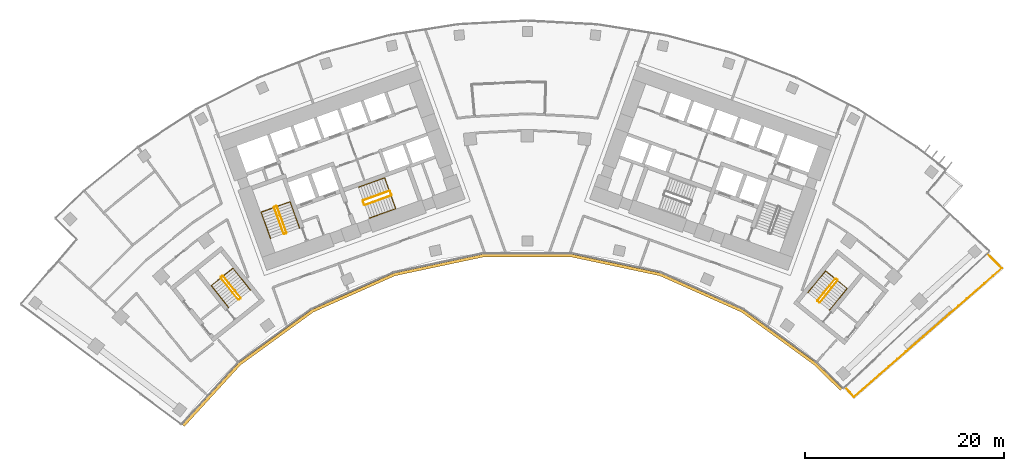
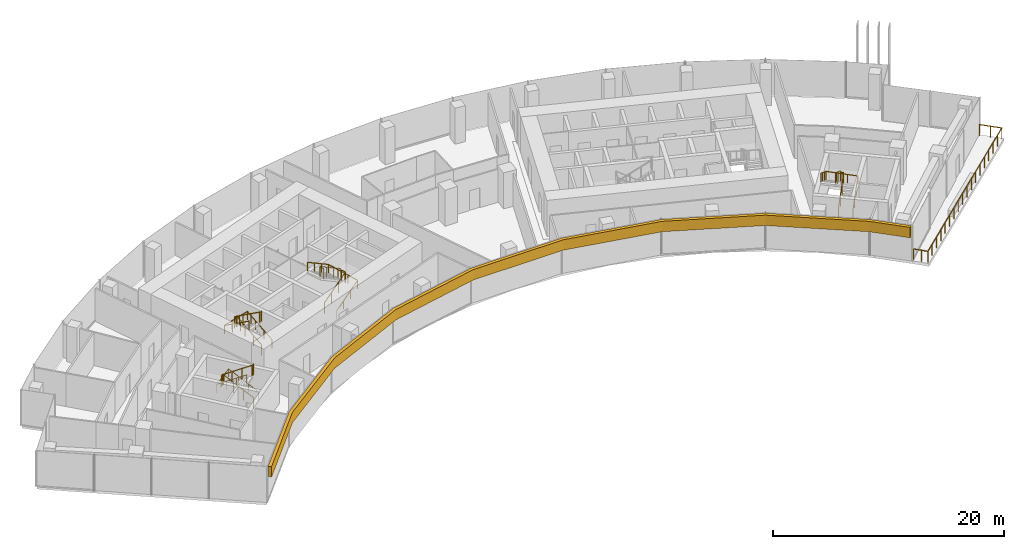
# One storey, part 19 of 20: 13 railings, 1 covering.
"""IFC4 building model written with IfcOpenShell, lengths in metres."""

from ifc_helpers import new_model, si_unit, direction, frame, origin, origin_2d, place, context, subcontext, project, spatial, polyline, circle, outline, extrude, material, layer, layer_set, type_object, element, save


model = new_model("IFC4")

# Units and contexts
model_context = context("Model", 3, precision=1e-05, world=origin(), true_north=direction((0.0, 1.0)))
body_context = subcontext(model_context, "Body", "Model", "MODEL_VIEW")
ifc_project = project(units=[si_unit("LENGTHUNIT", "METRE"), si_unit("AREAUNIT", "SQUARE_METRE"), si_unit("VOLUMEUNIT", "CUBIC_METRE"), si_unit("PLANEANGLEUNIT", "RADIAN"), si_unit("MASSUNIT", "GRAM", prefix="KILO")], contexts=[model_context])

# Site, building, storey
site_placement = place(None, origin())
site = spatial("IfcSite", under=ifc_project, at=site_placement, CompositionType="ELEMENT")
building_placement = place(site_placement, origin())
building = spatial("IfcBuilding", under=site, at=building_placement, Name="Stone Belt Terrace Tower", CompositionType="ELEMENT")
storey_placement = place(building_placement, frame((0.0, 0.0, 182.0)))
storey = spatial("IfcBuildingStorey", under=building, at=storey_placement, Name="L44", CompositionType="ELEMENT", Elevation=182.0)

# Railings
ifc_material_1 = material(Name="Structural steel C345", Category="steel")
railing_type_1 = type_object("IfcRailingType", Name="Stair guard 1100", PredefinedType="GUARDRAIL", material=ifc_material_1)
railing_1_placement = place(storey_placement, frame((-24.2119140625, 45.276123046875, 0.172607421875)))
element("IfcRailing", 1, at=railing_1_placement, inside=storey, type_object=railing_type_1, Name="L44 ST1A stair guard 1", PredefinedType="GUARDRAIL", context=body_context, shape_type="SweptSolid", body=[
    extrude(circle(Radius=0.02392578125, at=origin_2d()), frame((0.0, 0.0, 1.076171875), z_axis=(-0.288228637646, 0.800791768495, 0.525030280985), x_axis=(-0.940908529223, -0.338660803216, 0.0)), (0.0, 0.0, 1.0), 3.289794921875),
    extrude(circle(Radius=0.02392578125, at=origin_2d()), frame((-0.9482421875, 2.634521484375, 2.80322265625), z_axis=(-0.905209821074, 0.424964916, 0.0), x_axis=(-0.424964916, -0.905209821074, 0.0)), (0.0, 0.0, 1.0), 0.070556640625),
    extrude(circle(Radius=0.02392578125, at=origin_2d()), frame((-1.01220703125, 2.66455078125, 2.80322265625), z_axis=(-0.941105063269, -0.338114270461, 0.0), x_axis=(0.338114270461, -0.941105063269, 0.0)), (0.0, 0.0, 1.0), 0.199951171875),
    extrude(circle(Radius=0.02099609375, at=origin_2d()), origin(), (0.0, 0.0, 1.0), 1.052001953125),
    extrude(circle(Radius=0.02099609375, at=origin_2d()), frame((-0.316162109375, 0.878173828125, 0.57568359375)), (0.0, 0.0, 1.0), 1.052001953125),
    extrude(circle(Radius=0.02099609375, at=origin_2d()), frame((-0.632080078125, 1.75634765625, 1.151611328125)), (0.0, 0.0, 1.0), 1.052001953125),
    extrude(circle(Radius=0.02099609375, at=origin_2d()), frame((-0.9482421875, 2.634521484375, 1.727294921875)), (0.0, 0.0, 1.0), 1.052001953125),
    extrude(circle(Radius=0.02099609375, at=origin_2d()), frame((-1.01220703125, 2.66455078125, 1.727294921875)), (0.0, 0.0, 1.0), 1.052001953125),
    extrude(circle(Radius=0.02099609375, at=origin_2d()), frame((-1.200439453125, 2.596923828125, 1.727294921875)), (0.0, 0.0, 1.0), 1.052001953125),
])
railing_2_placement = place(storey_placement, frame((-25.4423828125, 47.80908203125, 2.07275390625)))
element("IfcRailing", 2, at=railing_2_placement, inside=storey, type_object=railing_type_1, Name="L44 ST1A stair guard 2", PredefinedType="GUARDRAIL", context=body_context, shape_type="SweptSolid", body=[
    extrude(circle(Radius=0.02392578125, at=origin_2d()), frame((0.0, 0.0, 1.076171875), z_axis=(0.288228637646, -0.800791768495, 0.525030280985), x_axis=(0.940908529223, 0.338660803216, 0.0)), (0.0, 0.0, 1.0), 3.289794921875),
    extrude(circle(Radius=0.02392578125, at=origin_2d()), frame((0.9482421875, -2.634521484375, 2.80322265625), z_axis=(0.903878284585, -0.427789722475, 0.0), x_axis=(0.427789722475, 0.903878284585, 0.0)), (0.0, 0.0, 1.0), 0.07080078125),
    extrude(circle(Radius=0.02392578125, at=origin_2d()), frame((1.01220703125, -2.664794921875, 2.80322265625), z_axis=(0.940575576748, 0.339584429008, 0.0), x_axis=(-0.339584429008, 0.940575576748, 0.0)), (0.0, 0.0, 1.0), 0.199951171875),
    extrude(circle(Radius=0.02099609375, at=origin_2d()), origin(), (0.0, 0.0, 1.0), 1.052001953125),
    extrude(circle(Radius=0.02099609375, at=origin_2d()), frame((0.316162109375, -0.878173828125, 0.57568359375)), (0.0, 0.0, 1.0), 1.052001953125),
    extrude(circle(Radius=0.02099609375, at=origin_2d()), frame((0.632080078125, -1.75634765625, 1.151611328125)), (0.0, 0.0, 1.0), 1.052001953125),
    extrude(circle(Radius=0.02099609375, at=origin_2d()), frame((0.9482421875, -2.634521484375, 1.727294921875)), (0.0, 0.0, 1.0), 1.052001953125),
    extrude(circle(Radius=0.02099609375, at=origin_2d()), frame((1.01220703125, -2.664794921875, 1.727294921875)), (0.0, 0.0, 1.0), 1.052001953125),
    extrude(circle(Radius=0.02099609375, at=origin_2d()), frame((1.2001953125, -2.596923828125, 1.727294921875)), (0.0, 0.0, 1.0), 1.052001953125),
])
railing_3_placement = place(storey_placement, frame((-16.33837890625, 48.056640625, 0.172607421875)))
element("IfcRailing", 3, at=railing_3_placement, inside=storey, type_object=railing_type_1, Name="L44 ST2A stair guard 1", PredefinedType="GUARDRAIL", context=body_context, shape_type="SweptSolid", body=[
    extrude(circle(Radius=0.02392578125, at=origin_2d()), frame((0.0, 0.0, 1.076171875), z_axis=(0.800808895155, 0.288160591223, 0.52504150989), x_axis=(-0.338583606334, 0.940936311087, 0.0)), (0.0, 0.0, 1.0), 3.289794921875),
    extrude(circle(Radius=0.02392578125, at=origin_2d()), frame((2.634521484375, 0.947998046875, 2.80322265625), z_axis=(0.427789722475, 0.903878284585, 0.0), x_axis=(-0.903878284585, 0.427789722475, 0.0)), (0.0, 0.0, 1.0), 0.07080078125),
    extrude(circle(Radius=0.02392578125, at=origin_2d()), frame((2.664794921875, 1.011962890625, 2.80322265625), z_axis=(-0.338654645739, 0.940910745459, 0.0), x_axis=(-0.940910745459, -0.338654645739, 0.0)), (0.0, 0.0, 1.0), 0.400146484375),
    extrude(circle(Radius=0.02099609375, at=origin_2d()), origin(), (0.0, 0.0, 1.0), 1.052001953125),
    extrude(circle(Radius=0.02099609375, at=origin_2d()), frame((0.878173828125, 0.31591796875, 0.57568359375)), (0.0, 0.0, 1.0), 1.052001953125),
    extrude(circle(Radius=0.02099609375, at=origin_2d()), frame((1.75634765625, 0.632080078125, 1.151611328125)), (0.0, 0.0, 1.0), 1.052001953125),
    extrude(circle(Radius=0.02099609375, at=origin_2d()), frame((2.634521484375, 0.947998046875, 1.727294921875)), (0.0, 0.0, 1.0), 1.052001953125),
    extrude(circle(Radius=0.02099609375, at=origin_2d()), frame((2.664794921875, 1.011962890625, 1.727294921875)), (0.0, 0.0, 1.0), 1.052001953125),
    extrude(circle(Radius=0.02099609375, at=origin_2d()), frame((2.529296875, 1.388427734375, 1.727294921875)), (0.0, 0.0, 1.0), 1.052001953125),
])
railing_4_placement = place(storey_placement, frame((-13.873046875, 49.47509765625, 2.07275390625)))
element("IfcRailing", 4, at=railing_4_placement, inside=storey, type_object=railing_type_1, Name="L44 ST2A stair guard 2", PredefinedType="GUARDRAIL", context=body_context, shape_type="SweptSolid", body=[
    extrude(circle(Radius=0.02392578125, at=origin_2d()), frame((0.0, 0.0, 1.076171875), z_axis=(-0.800808895155, -0.288160591223, 0.52504150989), x_axis=(0.338583606334, -0.940936311087, 0.0)), (0.0, 0.0, 1.0), 3.289794921875),
    extrude(circle(Radius=0.02392578125, at=origin_2d()), frame((-2.634521484375, -0.947998046875, 2.80322265625), z_axis=(-0.427789722475, -0.903878284585, 0.0), x_axis=(0.903878284585, -0.427789722475, 0.0)), (0.0, 0.0, 1.0), 0.07080078125),
    extrude(circle(Radius=0.02392578125, at=origin_2d()), frame((-2.664794921875, -1.011962890625, 2.80322265625), z_axis=(0.338654645739, -0.940910745459, 0.0), x_axis=(0.940910745459, 0.338654645739, 0.0)), (0.0, 0.0, 1.0), 0.400146484375),
    extrude(circle(Radius=0.02099609375, at=origin_2d()), origin(), (0.0, 0.0, 1.0), 1.052001953125),
    extrude(circle(Radius=0.02099609375, at=origin_2d()), frame((-0.878173828125, -0.31591796875, 0.57568359375)), (0.0, 0.0, 1.0), 1.052001953125),
    extrude(circle(Radius=0.02099609375, at=origin_2d()), frame((-1.75634765625, -0.632080078125, 1.151611328125)), (0.0, 0.0, 1.0), 1.052001953125),
    extrude(circle(Radius=0.02099609375, at=origin_2d()), frame((-2.634521484375, -0.947998046875, 1.727294921875)), (0.0, 0.0, 1.0), 1.052001953125),
    extrude(circle(Radius=0.02099609375, at=origin_2d()), frame((-2.664794921875, -1.011962890625, 1.727294921875)), (0.0, 0.0, 1.0), 1.052001953125),
    extrude(circle(Radius=0.02099609375, at=origin_2d()), frame((-2.529296875, -1.388427734375, 1.727294921875)), (0.0, 0.0, 1.0), 1.052001953125),
])
railing_5_placement = place(storey_placement, frame((-28.814208984375, 38.734619140625, 0.172607421875)))
element("IfcRailing", 5, at=railing_5_placement, inside=storey, type_object=railing_type_1, Name="L44 ST3A stair guard 1", PredefinedType="GUARDRAIL", context=body_context, shape_type="SweptSolid", body=[
    extrude(circle(Radius=0.02392578125, at=origin_2d()), frame((0.0, 0.0, 1.076171875), z_axis=(-0.530306321799, 0.665665785969, 0.525037395288), x_axis=(-0.782143211408, -0.623098705543, 0.0)), (0.0, 0.0, 1.0), 3.289794921875),
    extrude(circle(Radius=0.02392578125, at=origin_2d()), frame((-1.74462890625, 2.18994140625, 2.80322265625), z_axis=(-0.993883734674, 0.110431526075, 0.0), x_axis=(-0.110431526075, -0.993883734674, 0.0)), (0.0, 0.0, 1.0), 0.07080078125),
    extrude(circle(Radius=0.02392578125, at=origin_2d()), frame((-1.81494140625, 2.19775390625, 2.80322265625), z_axis=(-0.782533463299, -0.622608527742, 0.0), x_axis=(0.622608527742, -0.782533463299, 0.0)), (0.0, 0.0, 1.0), 0.199951171875),
    extrude(circle(Radius=0.02099609375, at=origin_2d()), origin(), (0.0, 0.0, 1.0), 1.052001953125),
    extrude(circle(Radius=0.02099609375, at=origin_2d()), frame((-0.58154296875, 0.72998046875, 0.57568359375)), (0.0, 0.0, 1.0), 1.052001953125),
    extrude(circle(Radius=0.02099609375, at=origin_2d()), frame((-1.1630859375, 1.4599609375, 1.151611328125)), (0.0, 0.0, 1.0), 1.052001953125),
    extrude(circle(Radius=0.02099609375, at=origin_2d()), frame((-1.74462890625, 2.18994140625, 1.727294921875)), (0.0, 0.0, 1.0), 1.052001953125),
    extrude(circle(Radius=0.02099609375, at=origin_2d()), frame((-1.81494140625, 2.19775390625, 1.727294921875)), (0.0, 0.0, 1.0), 1.052001953125),
    extrude(circle(Radius=0.02099609375, at=origin_2d()), frame((-1.971435546875, 2.0732421875, 1.727294921875)), (0.0, 0.0, 1.0), 1.052001953125),
])
railing_6_placement = place(storey_placement, frame((-30.793701171875, 40.737548828125, 2.07275390625)))
element("IfcRailing", 6, at=railing_6_placement, inside=storey, type_object=railing_type_1, Name="L44 ST3A stair guard 2", PredefinedType="GUARDRAIL", context=body_context, shape_type="SweptSolid", body=[
    extrude(circle(Radius=0.02392578125, at=origin_2d()), frame((0.0, 0.0, 1.076171875), z_axis=(0.530359659125, -0.665639588968, 0.525016732659), x_axis=(0.782100716982, 0.62315204284, 0.0)), (0.0, 0.0, 1.0), 3.2900390625),
    extrude(circle(Radius=0.02392578125, at=origin_2d()), frame((1.744873046875, -2.18994140625, 2.80322265625), z_axis=(0.993499272973, -0.113838458361, 0.0), x_axis=(0.113838458361, 0.993499272973, 0.0)), (0.0, 0.0, 1.0), 0.07080078125),
    extrude(circle(Radius=0.02392578125, at=origin_2d()), frame((1.815185546875, -2.197998046875, 2.80322265625), z_axis=(0.781464082609, 0.623950228458, 0.0), x_axis=(-0.623950228458, 0.781464082609, 0.0)), (0.0, 0.0, 1.0), 0.199951171875),
    extrude(circle(Radius=0.02099609375, at=origin_2d()), origin(), (0.0, 0.0, 1.0), 1.052001953125),
    extrude(circle(Radius=0.02099609375, at=origin_2d()), frame((0.58154296875, -0.72998046875, 0.57568359375)), (0.0, 0.0, 1.0), 1.052001953125),
    extrude(circle(Radius=0.02099609375, at=origin_2d()), frame((1.163330078125, -1.4599609375, 1.151611328125)), (0.0, 0.0, 1.0), 1.052001953125),
    extrude(circle(Radius=0.02099609375, at=origin_2d()), frame((1.744873046875, -2.18994140625, 1.727294921875)), (0.0, 0.0, 1.0), 1.052001953125),
    extrude(circle(Radius=0.02099609375, at=origin_2d()), frame((1.815185546875, -2.197998046875, 1.727294921875)), (0.0, 0.0, 1.0), 1.052001953125),
    extrude(circle(Radius=0.02099609375, at=origin_2d()), frame((1.971435546875, -2.0732421875, 1.727294921875)), (0.0, 0.0, 1.0), 1.052001953125),
])
railing_7_placement = place(storey_placement, frame((29.39794921875, 38.281982421875, 0.172607421875)))
element("IfcRailing", 7, at=railing_7_placement, inside=storey, type_object=railing_type_1, Name="L44 ST3B stair guard 1", PredefinedType="GUARDRAIL", context=body_context, shape_type="SweptSolid", body=[
    extrude(circle(Radius=0.02392578125, at=origin_2d()), frame((0.0, 0.0, 1.076171875), z_axis=(0.536393061503, 0.660769759217, 0.525038864158), x_axis=(-0.776391310223, 0.630251166924, 0.0)), (0.0, 0.0, 1.0), 3.289794921875),
    extrude(circle(Radius=0.02392578125, at=origin_2d()), frame((1.7646484375, 2.173828125, 2.80322265625), z_axis=(-0.103251414163, 0.994655289773, 0.0), x_axis=(-0.994655289773, -0.103251414163, 0.0)), (0.0, 0.0, 1.0), 0.071044921875),
    extrude(circle(Radius=0.02392578125, at=origin_2d()), frame((1.75732421875, 2.244384765625, 2.80322265625), z_axis=(-0.776561986372, 0.630040856868, 0.0), x_axis=(-0.630040856868, -0.776561986372, 0.0)), (0.0, 0.0, 1.0), 0.199951171875),
    extrude(circle(Radius=0.02099609375, at=origin_2d()), origin(), (0.0, 0.0, 1.0), 1.052001953125),
    extrude(circle(Radius=0.02099609375, at=origin_2d()), frame((0.588134765625, 0.724609375, 0.57568359375)), (0.0, 0.0, 1.0), 1.052001953125),
    extrude(circle(Radius=0.02099609375, at=origin_2d()), frame((1.176513671875, 1.44921875, 1.151611328125)), (0.0, 0.0, 1.0), 1.052001953125),
    extrude(circle(Radius=0.02099609375, at=origin_2d()), frame((1.7646484375, 2.173828125, 1.727294921875)), (0.0, 0.0, 1.0), 1.052001953125),
    extrude(circle(Radius=0.02099609375, at=origin_2d()), frame((1.75732421875, 2.244384765625, 1.727294921875)), (0.0, 0.0, 1.0), 1.052001953125),
    extrude(circle(Radius=0.02099609375, at=origin_2d()), frame((1.60205078125, 2.370361328125, 1.727294921875)), (0.0, 0.0, 1.0), 1.052001953125),
])
railing_8_placement = place(storey_placement, frame((30.9296875, 40.64501953125, 2.07275390625)))
element("IfcRailing", 8, at=railing_8_placement, inside=storey, type_object=railing_type_1, Name="L44 ST3B stair guard 2", PredefinedType="GUARDRAIL", context=body_context, shape_type="SweptSolid", body=[
    extrude(circle(Radius=0.02392578125, at=origin_2d()), frame((0.0, 0.0, 1.076171875), z_axis=(-0.536366759382, -0.660811565066, 0.525013118792), x_axis=(0.776425942316, -0.630208502084, 0.0)), (0.0, 0.0, 1.0), 3.2900390625),
    extrude(circle(Radius=0.02392578125, at=origin_2d()), frame((-1.7646484375, -2.174072265625, 2.80322265625), z_axis=(0.103606084259, -0.994618408891, 0.0), x_axis=(0.994618408891, 0.103606084259, 0.0)), (0.0, 0.0, 1.0), 0.07080078125),
    extrude(circle(Radius=0.02392578125, at=origin_2d()), frame((-1.75732421875, -2.244384765625, 2.80322265625), z_axis=(0.776561986372, -0.630040856868, 0.0), x_axis=(0.630040856868, 0.776561986372, 0.0)), (0.0, 0.0, 1.0), 0.199951171875),
    extrude(circle(Radius=0.02099609375, at=origin_2d()), origin(), (0.0, 0.0, 1.0), 1.052001953125),
    extrude(circle(Radius=0.02099609375, at=origin_2d()), frame((-0.588134765625, -0.724609375, 0.57568359375)), (0.0, 0.0, 1.0), 1.052001953125),
    extrude(circle(Radius=0.02099609375, at=origin_2d()), frame((-1.176513671875, -1.449462890625, 1.151611328125)), (0.0, 0.0, 1.0), 1.052001953125),
    extrude(circle(Radius=0.02099609375, at=origin_2d()), frame((-1.7646484375, -2.174072265625, 1.727294921875)), (0.0, 0.0, 1.0), 1.052001953125),
    extrude(circle(Radius=0.02099609375, at=origin_2d()), frame((-1.75732421875, -2.244384765625, 1.727294921875)), (0.0, 0.0, 1.0), 1.052001953125),
    extrude(circle(Radius=0.02099609375, at=origin_2d()), frame((-1.60205078125, -2.370361328125, 1.727294921875)), (0.0, 0.0, 1.0), 1.052001953125),
])
railing_type_2 = type_object("IfcRailingType", Name="Stair handrail 900", PredefinedType="HANDRAIL", material=ifc_material_1)
railing_9_placement = place(storey_placement, frame((-22.894775390625, 45.750244140625, 0.172607421875)))
element("IfcRailing", 9, at=railing_9_placement, inside=storey, type_object=railing_type_2, Name="L44 ST1A stair handrail 1", PredefinedType="HANDRAIL", context=body_context, shape_type="SweptSolid", body=[
    extrude(circle(Radius=0.02392578125, at=origin_2d()), frame((0.0, 0.0, 0.8759765625), z_axis=(-0.288160591223, 0.800808895155, 0.52504150989), x_axis=(-0.940936311087, -0.338583606334, 0.0)), (0.0, 0.0, 1.0), 3.289794921875),
    extrude(circle(Radius=0.02392578125, at=origin_2d()), frame((-0.947998046875, 2.634521484375, 2.60302734375), z_axis=(-0.939460408074, -0.338105101667, 0.055669398135), x_axis=(0.338630230244, -0.940919532779, 0.0)), (0.0, 0.0, 1.0), 3.10498046875),
    extrude(circle(Radius=0.02392578125, at=origin_2d()), frame((-3.864990234375, 1.584716796875, 2.77587890625), z_axis=(0.288228637646, -0.800791768495, 0.525030280985), x_axis=(0.940908529223, 0.338660803216, 0.0)), (0.0, 0.0, 1.0), 3.289794921875),
    extrude(circle(Radius=0.02099609375, at=origin_2d()), origin(), (0.0, 0.0, 1.0), 0.851806640625),
    extrude(circle(Radius=0.02099609375, at=origin_2d()), frame((-0.31591796875, 0.878173828125, 0.57568359375)), (0.0, 0.0, 1.0), 0.851806640625),
    extrude(circle(Radius=0.02099609375, at=origin_2d()), frame((-0.632080078125, 1.75634765625, 1.151611328125)), (0.0, 0.0, 1.0), 0.851806640625),
    extrude(circle(Radius=0.02099609375, at=origin_2d()), frame((-0.947998046875, 2.634521484375, 1.727294921875)), (0.0, 0.0, 1.0), 0.851806640625),
    extrude(circle(Radius=0.02099609375, at=origin_2d()), frame((-1.92041015625, 2.28466796875, 1.784912109375)), (0.0, 0.0, 1.0), 0.851806640625),
    extrude(circle(Radius=0.02099609375, at=origin_2d()), frame((-2.892578125, 1.9345703125, 1.842529296875)), (0.0, 0.0, 1.0), 0.851806640625),
    extrude(circle(Radius=0.02099609375, at=origin_2d()), frame((-3.864990234375, 1.584716796875, 1.900146484375)), (0.0, 0.0, 1.0), 0.851806640625),
    extrude(circle(Radius=0.02099609375, at=origin_2d()), frame((-3.548828125, 0.70654296875, 2.475830078125)), (0.0, 0.0, 1.0), 0.851806640625),
    extrude(circle(Radius=0.02099609375, at=origin_2d()), frame((-3.23291015625, -0.171630859375, 3.0517578125)), (0.0, 0.0, 1.0), 0.851806640625),
    extrude(circle(Radius=0.02099609375, at=origin_2d()), frame((-2.916748046875, -1.0498046875, 3.62744140625)), (0.0, 0.0, 1.0), 0.851806640625),
])
railing_10_placement = place(storey_placement, frame((-15.8642578125, 46.7392578125, 0.172607421875)))
element("IfcRailing", 10, at=railing_10_placement, inside=storey, type_object=railing_type_2, Name="L44 ST2A stair handrail 1", PredefinedType="HANDRAIL", context=body_context, shape_type="SweptSolid", body=[
    extrude(circle(Radius=0.02392578125, at=origin_2d()), frame((0.0, 0.0, 0.8759765625), z_axis=(0.800791768495, 0.288228637646, 0.525030280985), x_axis=(-0.338660803216, 0.940908529223, 0.0)), (0.0, 0.0, 1.0), 3.289794921875),
    extrude(circle(Radius=0.02392578125, at=origin_2d()), frame((2.634521484375, 0.9482421875, 2.60302734375), z_axis=(-0.338158948057, 0.939634149308, 0.052308615955), x_axis=(-0.940922302781, -0.338622533404, 0.0)), (0.0, 0.0, 1.0), 3.304443359375),
    extrude(circle(Radius=0.02392578125, at=origin_2d()), frame((1.51708984375, 4.05322265625, 2.77587890625), z_axis=(-0.800791768495, -0.288228637646, 0.525030280985), x_axis=(0.338660803216, -0.940908529223, 0.0)), (0.0, 0.0, 1.0), 3.289794921875),
    extrude(circle(Radius=0.02099609375, at=origin_2d()), origin(), (0.0, 0.0, 1.0), 0.851806640625),
    extrude(circle(Radius=0.02099609375, at=origin_2d()), frame((0.878173828125, 0.316162109375, 0.57568359375)), (0.0, 0.0, 1.0), 0.851806640625),
    extrude(circle(Radius=0.02099609375, at=origin_2d()), frame((1.75634765625, 0.632080078125, 1.151611328125)), (0.0, 0.0, 1.0), 0.851806640625),
    extrude(circle(Radius=0.02099609375, at=origin_2d()), frame((2.634521484375, 0.9482421875, 1.727294921875)), (0.0, 0.0, 1.0), 0.851806640625),
    extrude(circle(Radius=0.02099609375, at=origin_2d()), frame((2.261962890625, 1.983154296875, 1.784912109375)), (0.0, 0.0, 1.0), 0.851806640625),
    extrude(circle(Radius=0.02099609375, at=origin_2d()), frame((1.8896484375, 3.018310546875, 1.842529296875)), (0.0, 0.0, 1.0), 0.851806640625),
    extrude(circle(Radius=0.02099609375, at=origin_2d()), frame((1.51708984375, 4.05322265625, 1.900146484375)), (0.0, 0.0, 1.0), 0.851806640625),
    extrude(circle(Radius=0.02099609375, at=origin_2d()), frame((0.638916015625, 3.737060546875, 2.475830078125)), (0.0, 0.0, 1.0), 0.851806640625),
    extrude(circle(Radius=0.02099609375, at=origin_2d()), frame((-0.2392578125, 3.421142578125, 3.0517578125)), (0.0, 0.0, 1.0), 0.851806640625),
    extrude(circle(Radius=0.02099609375, at=origin_2d()), frame((-1.117431640625, 3.10498046875, 3.62744140625)), (0.0, 0.0, 1.0), 0.851806640625),
])
railing_11_placement = place(storey_placement, frame((-27.836669921875, 39.513427734375, 0.172607421875)))
element("IfcRailing", 11, at=railing_11_placement, inside=storey, type_object=railing_type_2, Name="L44 ST3A stair handrail 1", PredefinedType="HANDRAIL", context=body_context, shape_type="SweptSolid", body=[
    extrude(circle(Radius=0.02392578125, at=origin_2d()), frame((0.0, 0.0, 0.8759765625), z_axis=(-0.530306321799, 0.665665785969, 0.525037395288), x_axis=(-0.782143211408, -0.623098705543, 0.0)), (0.0, 0.0, 1.0), 3.289794921875),
    extrude(circle(Radius=0.02392578125, at=origin_2d()), frame((-1.74462890625, 2.18994140625, 2.60302734375), z_axis=(-0.78065703189, -0.621914732429, 0.061617076765), x_axis=(0.623098705543, -0.782143211408, 0.0)), (0.0, 0.0, 1.0), 2.80517578125),
    extrude(circle(Radius=0.02392578125, at=origin_2d()), frame((-3.9345703125, 0.4453125, 2.77587890625), z_axis=(0.530306321799, -0.665665785969, 0.525037395288), x_axis=(0.782143211408, 0.623098705543, 0.0)), (0.0, 0.0, 1.0), 3.289794921875),
    extrude(circle(Radius=0.02099609375, at=origin_2d()), origin(), (0.0, 0.0, 1.0), 0.851806640625),
    extrude(circle(Radius=0.02099609375, at=origin_2d()), frame((-0.58154296875, 0.72998046875, 0.57568359375)), (0.0, 0.0, 1.0), 0.851806640625),
    extrude(circle(Radius=0.02099609375, at=origin_2d()), frame((-1.1630859375, 1.4599609375, 1.151611328125)), (0.0, 0.0, 1.0), 0.851806640625),
    extrude(circle(Radius=0.02099609375, at=origin_2d()), frame((-1.74462890625, 2.18994140625, 1.727294921875)), (0.0, 0.0, 1.0), 0.851806640625),
    extrude(circle(Radius=0.02099609375, at=origin_2d()), frame((-2.474609375, 1.6083984375, 1.784912109375)), (0.0, 0.0, 1.0), 0.851806640625),
    extrude(circle(Radius=0.02099609375, at=origin_2d()), frame((-3.20458984375, 1.02685546875, 1.842529296875)), (0.0, 0.0, 1.0), 0.851806640625),
    extrude(circle(Radius=0.02099609375, at=origin_2d()), frame((-3.9345703125, 0.4453125, 1.900146484375)), (0.0, 0.0, 1.0), 0.851806640625),
    extrude(circle(Radius=0.02099609375, at=origin_2d()), frame((-3.35302734375, -0.28466796875, 2.475830078125)), (0.0, 0.0, 1.0), 0.851806640625),
    extrude(circle(Radius=0.02099609375, at=origin_2d()), frame((-2.771484375, -1.0146484375, 3.0517578125)), (0.0, 0.0, 1.0), 0.851806640625),
    extrude(circle(Radius=0.02099609375, at=origin_2d()), frame((-2.18994140625, -1.74462890625, 3.62744140625)), (0.0, 0.0, 1.0), 0.851806640625),
])
railing_12_placement = place(storey_placement, frame((30.36865234375, 37.494140625, 0.172607421875)))
element("IfcRailing", 12, at=railing_12_placement, inside=storey, type_object=railing_type_2, Name="L44 ST3B stair handrail 1", PredefinedType="HANDRAIL", context=body_context, shape_type="SweptSolid", body=[
    extrude(circle(Radius=0.02392578125, at=origin_2d()), frame((0.0, 0.0, 0.8759765625), z_axis=(0.536366759382, 0.660811565066, 0.525013118792), x_axis=(-0.776425942316, 0.630208502084, 0.0)), (0.0, 0.0, 1.0), 3.2900390625),
    extrude(circle(Radius=0.02392578125, at=origin_2d()), frame((1.7646484375, 2.174072265625, 2.60302734375), z_axis=(-0.774950814199, 0.629011171817, 0.061613158501), x_axis=(-0.630208502084, -0.776425942316, 0.0)), (0.0, 0.0, 1.0), 2.805419921875),
    extrude(circle(Radius=0.02392578125, at=origin_2d()), frame((-0.409423828125, 3.938720703125, 2.77587890625), z_axis=(-0.536366759382, -0.660811565066, 0.525013118792), x_axis=(0.776425942316, -0.630208502084, 0.0)), (0.0, 0.0, 1.0), 3.2900390625),
    extrude(circle(Radius=0.02099609375, at=origin_2d()), origin(), (0.0, 0.0, 1.0), 0.851806640625),
    extrude(circle(Radius=0.02099609375, at=origin_2d()), frame((0.588134765625, 0.724609375, 0.57568359375)), (0.0, 0.0, 1.0), 0.851806640625),
    extrude(circle(Radius=0.02099609375, at=origin_2d()), frame((1.176513671875, 1.449462890625, 1.151611328125)), (0.0, 0.0, 1.0), 0.851806640625),
    extrude(circle(Radius=0.02099609375, at=origin_2d()), frame((1.7646484375, 2.174072265625, 1.727294921875)), (0.0, 0.0, 1.0), 0.851806640625),
    extrude(circle(Radius=0.02099609375, at=origin_2d()), frame((1.0400390625, 2.76220703125, 1.784912109375)), (0.0, 0.0, 1.0), 0.851806640625),
    extrude(circle(Radius=0.02099609375, at=origin_2d()), frame((0.315185546875, 3.3505859375, 1.842529296875)), (0.0, 0.0, 1.0), 0.851806640625),
    extrude(circle(Radius=0.02099609375, at=origin_2d()), frame((-0.409423828125, 3.938720703125, 1.900146484375)), (0.0, 0.0, 1.0), 0.851806640625),
    extrude(circle(Radius=0.02099609375, at=origin_2d()), frame((-0.99755859375, 3.214111328125, 2.475830078125)), (0.0, 0.0, 1.0), 0.851806640625),
    extrude(circle(Radius=0.02099609375, at=origin_2d()), frame((-1.5859375, 2.4892578125, 3.0517578125)), (0.0, 0.0, 1.0), 0.851806640625),
    extrude(circle(Radius=0.02099609375, at=origin_2d()), frame((-2.174072265625, 1.7646484375, 3.62744140625)), (0.0, 0.0, 1.0), 0.851806640625),
])
ifc_material_2 = material(Name="Stainless steel AISI 304", Category="steel")
railing_type_3 = type_object("IfcRailingType", Name="Terrace guard 1200", PredefinedType="GUARDRAIL", material=ifc_material_2)
railing_13_placement = place(storey_placement, frame((31.940185546875, 29.7060546875, 0.0)))
element("IfcRailing", 13, at=railing_13_placement, inside=storey, type_object=railing_type_3, Name="GUARD L44 1.1", PredefinedType="GUARDRAIL", context=body_context, shape_type="SweptSolid", body=[
    extrude(circle(Radius=0.02490234375, at=origin_2d()), frame((0.0, 0.0, 1.1748046875), z_axis=(0.706932724141, -0.707280795398, 0.0), x_axis=(0.707280795398, 0.706932724141, 0.0)), (0.0, 0.0, 1.0), 0.701416015625),
    extrude(circle(Radius=0.02490234375, at=origin_2d()), frame((0.495849609375, -0.49609375, 1.1748046875), z_axis=(0.662888471489, -0.748718154159, 0.0), x_axis=(0.748718154159, 0.662888471489, 0.0)), (0.0, 0.0, 1.0), 0.5859375),
    extrude(circle(Radius=0.02490234375, at=origin_2d()), frame((0.88427734375, -0.934814453125, 1.1748046875), z_axis=(0.754273904546, 0.656559880682, 0.0), x_axis=(-0.656559880682, 0.754273904546, 0.0)), (0.0, 0.0, 1.0), 19.69091796875),
    extrude(circle(Radius=0.02490234375, at=origin_2d()), frame((15.736572265625, 11.993408203125, 1.1748046875), z_axis=(-0.706070371656, 0.708141673868, 0.0), x_axis=(-0.708141673868, -0.706070371656, 0.0)), (0.0, 0.0, 1.0), 2.003662109375),
    extrude(circle(Radius=0.02001953125, at=origin_2d()), origin(), (0.0, 0.0, 1.0), 1.14990234375),
    extrude(circle(Radius=0.02001953125, at=origin_2d()), frame((0.495849609375, -0.49609375, 0.0)), (0.0, 0.0, 1.0), 1.14990234375),
    extrude(circle(Radius=0.02001953125, at=origin_2d()), frame((0.88427734375, -0.934814453125, 0.0)), (0.0, 0.0, 1.0), 1.14990234375),
    extrude(circle(Radius=0.02001953125, at=origin_2d()), frame((1.758056640625, -0.17431640625, 0.0)), (0.0, 0.0, 1.0), 1.14990234375),
    extrude(circle(Radius=0.02001953125, at=origin_2d()), frame((2.631591796875, 0.586181640625, 0.0)), (0.0, 0.0, 1.0), 1.14990234375),
    extrude(circle(Radius=0.02001953125, at=origin_2d()), frame((3.50537109375, 1.3466796875, 0.0)), (0.0, 0.0, 1.0), 1.14990234375),
    extrude(circle(Radius=0.02001953125, at=origin_2d()), frame((4.37890625, 2.107177734375, 0.0)), (0.0, 0.0, 1.0), 1.14990234375),
    extrude(circle(Radius=0.02001953125, at=origin_2d()), frame((5.252685546875, 2.86767578125, 0.0)), (0.0, 0.0, 1.0), 1.14990234375),
    extrude(circle(Radius=0.02001953125, at=origin_2d()), frame((6.126220703125, 3.628173828125, 0.0)), (0.0, 0.0, 1.0), 1.14990234375),
    extrude(circle(Radius=0.02001953125, at=origin_2d()), frame((7.0, 4.388671875, 0.0)), (0.0, 0.0, 1.0), 1.14990234375),
    extrude(circle(Radius=0.02001953125, at=origin_2d()), frame((7.87353515625, 5.149169921875, 0.0)), (0.0, 0.0, 1.0), 1.14990234375),
    extrude(circle(Radius=0.02001953125, at=origin_2d()), frame((8.747314453125, 5.909423828125, 0.0)), (0.0, 0.0, 1.0), 1.14990234375),
    extrude(circle(Radius=0.02001953125, at=origin_2d()), frame((9.620849609375, 6.669921875, 0.0)), (0.0, 0.0, 1.0), 1.14990234375),
    extrude(circle(Radius=0.02001953125, at=origin_2d()), frame((10.49462890625, 7.430419921875, 0.0)), (0.0, 0.0, 1.0), 1.14990234375),
    extrude(circle(Radius=0.02001953125, at=origin_2d()), frame((11.3681640625, 8.19091796875, 0.0)), (0.0, 0.0, 1.0), 1.14990234375),
    extrude(circle(Radius=0.02001953125, at=origin_2d()), frame((12.241943359375, 8.951416015625, 0.0)), (0.0, 0.0, 1.0), 1.14990234375),
    extrude(circle(Radius=0.02001953125, at=origin_2d()), frame((13.115478515625, 9.7119140625, 0.0)), (0.0, 0.0, 1.0), 1.14990234375),
    extrude(circle(Radius=0.02001953125, at=origin_2d()), frame((13.9892578125, 10.472412109375, 0.0)), (0.0, 0.0, 1.0), 1.14990234375),
    extrude(circle(Radius=0.02001953125, at=origin_2d()), frame((14.86279296875, 11.23291015625, 0.0)), (0.0, 0.0, 1.0), 1.14990234375),
    extrude(circle(Radius=0.02001953125, at=origin_2d()), frame((15.736572265625, 11.993408203125, 0.0)), (0.0, 0.0, 1.0), 1.14990234375),
    extrude(circle(Radius=0.02001953125, at=origin_2d()), frame((15.029296875, 12.702880859375, 0.0)), (0.0, 0.0, 1.0), 1.14990234375),
    extrude(circle(Radius=0.02001953125, at=origin_2d()), frame((14.32177734375, 13.412353515625, 0.0)), (0.0, 0.0, 1.0), 1.14990234375),
])

# Covering
ifc_material_3 = material(Name="Terracotta coloured glazed ceramic", Category="masonry")
ifc_layer = layer(ifc_material_3, 0.300048828125)
ifc_layer_set = layer_set([ifc_layer], Name="Terracotta spandrel band 300 x 1100")
covering_type = type_object("IfcCoveringType", Name="Terracotta spandrel band 300 x 1100", PredefinedType="CLADDING", material=ifc_layer_set)
covering_placement = place(storey_placement, frame((0.0, 0.0, 2.699951171875)))
element("IfcCovering", 14, at=covering_placement, inside=storey, type_object=covering_type, Name="BAND L44", PredefinedType="CLADDING", context=body_context, shape_type="SweptSolid", body=[
    extrude(outline(polyline([(-34.688720703125, 25.99951171875), (-29.0068359375, 32.21435546875), (-21.674560546875, 37.54150390625), (-13.395751953125, 41.2275390625), (-4.53125, 43.11181640625), (4.53125, 43.11181640625), (13.395751953125, 41.2275390625), (21.674560546875, 37.54150390625), (29.010009765625, 32.2119140625), (31.645751953125, 29.627197265625), (31.435791015625, 29.4130859375), (28.81591796875, 31.982177734375), (21.523681640625, 37.2802734375), (13.302490234375, 40.940673828125), (4.499755859375, 42.811767578125), (-4.499755859375, 42.811767578125), (-13.302490234375, 40.940673828125), (-21.523681640625, 37.2802734375), (-28.805908203125, 31.989501953125), (-34.46728515625, 25.797119140625), (-34.688720703125, 25.99951171875)])), origin(), (0.0, 0.0, 1.0), 1.10009765625),
])

save(model, "model.ifc")
